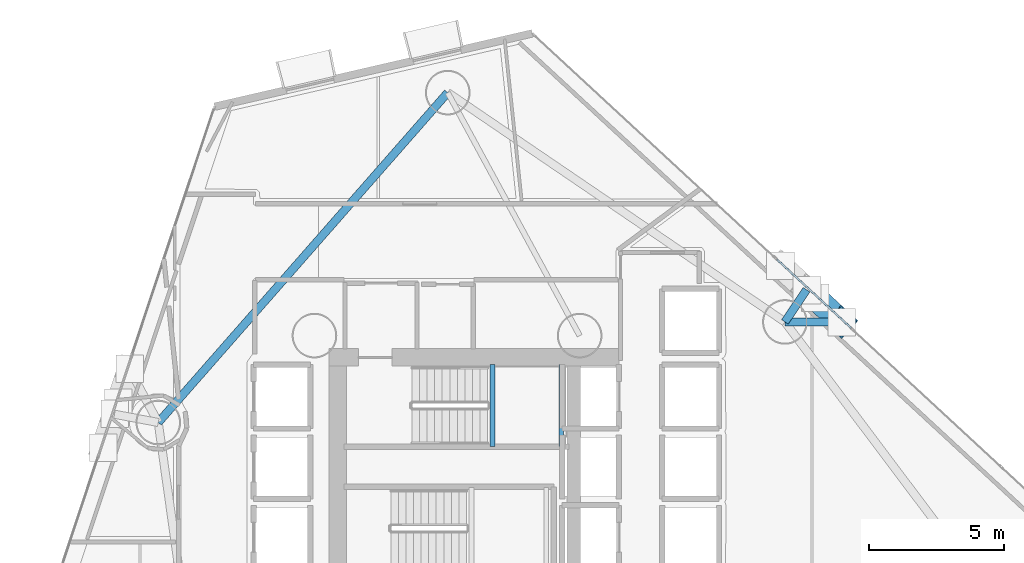
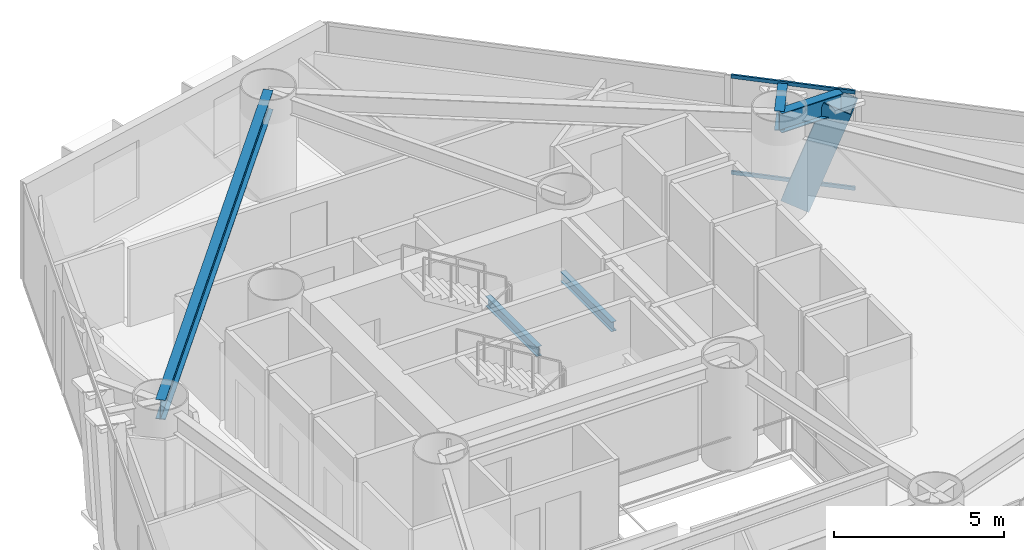
# One storey, part 9 of 23: 5 beams, 3 members, 1 element without a shape of its own.
"""IFC4 building model written with IfcOpenShell, lengths in metres."""

import ifcopenshell
import ifcopenshell.guid

model = None  # the IFC model being written
_history = None  # IfcOwnerHistory: only IFC2X3 demands one
_inside = {}  # id of a spatial element -> (the spatial element, [elements in it])
_under = {}  # id of a project, library or spatial element -> (it, [spatial elements below it])
_declared = {}  # id of a project -> (the project, [libraries it declares])
_typed = {}  # id of a type object -> (the type object, [elements of that type])
_made_of = {}  # id of a material, layer set ... -> (it, [elements and type objects made of it])


def new_model(schema):
    """Start an empty IFC model of exactly this schema.

    Asked for "IFC4X3", IfcOpenShell would pick the latest addendum, in which some entities
    have other attributes; the version numbers below select the first issue.
    IFC2X3 requires an IfcOwnerHistory on every rooted entity: one is made here for all.
    """
    global model, _history
    if schema == "IFC4X3":
        model = ifcopenshell.file(schema_version=(4, 3, 0, 0))
    else:
        model = ifcopenshell.file(schema=schema)
    _inside.clear()
    _under.clear()
    _declared.clear()
    _typed.clear()
    _made_of.clear()
    _history = None
    if model.schema == "IFC2X3":
        org = make("IfcOrganization", Name="unknown")
        user = make(
            "IfcPersonAndOrganization",
            ThePerson=make("IfcPerson", FamilyName="unknown"),
            TheOrganization=org,
        )
        app = make(
            "IfcApplication",
            ApplicationDeveloper=org,
            Version="unknown",
            ApplicationFullName="unknown",
            ApplicationIdentifier="unknown",
        )
        _history = make(
            "IfcOwnerHistory",
            OwningUser=user,
            OwningApplication=app,
            ChangeAction="ADDED",
            CreationDate=0,
        )
    return model


def make(cls, **values):
    """One entity of the class cls with the attributes given. An attribute that is None is left unset."""
    return model.create_entity(
        cls, **{name: value for name, value in values.items() if value is not None}
    )


def rooted(cls, **values):
    """An entity with a GlobalId (a new one), such as an element, a storey or a relation."""
    return make(cls, GlobalId=ifcopenshell.guid.new(), OwnerHistory=_history, **values)


def si_unit(unit_type, name, prefix=None):
    """IfcSIUnit, for example si_unit("LENGTHUNIT", "METRE", prefix="MILLI")."""
    return make("IfcSIUnit", UnitType=unit_type, Prefix=prefix, Name=name)


def assignment(units):
    """IfcUnitAssignment: the units of a project."""
    return None if units is None else make("IfcUnitAssignment", Units=units)


def point(xyz):
    """IfcCartesianPoint."""
    return None if xyz is None else make("IfcCartesianPoint", Coordinates=xyz)


def direction(xyz):
    """IfcDirection."""
    return None if xyz is None else make("IfcDirection", DirectionRatios=xyz)


def frame(location, z_axis=None, x_axis=None):
    """IfcAxis2Placement3D, a coordinate frame: its origin and axes. An axis left out is left unset."""
    return make(
        "IfcAxis2Placement3D",
        Location=point(location),
        Axis=direction(z_axis),
        RefDirection=direction(x_axis),
    )


def frame_2d(location, x_axis=None):
    """IfcAxis2Placement2D, a coordinate frame in the plane: its origin and x axis."""
    return make(
        "IfcAxis2Placement2D", Location=point(location), RefDirection=direction(x_axis)
    )


def origin():
    """The frame at (0, 0, 0) with its axes left unset."""
    return frame((0.0, 0.0, 0.0))


def origin_2d():
    """The frame at (0, 0) in the plane with its x axis left unset."""
    return frame_2d((0.0, 0.0))


def place(relative_to, where):
    """IfcLocalPlacement: puts the frame where relative to a parent placement (None: the world)."""
    return make(
        "IfcLocalPlacement", PlacementRelTo=relative_to, RelativePlacement=where
    )


def context(
    kind, dimensions, precision=None, world=None, true_north=None, identifier=None
):
    """IfcGeometricRepresentationContext, for example the 3D "Model" context."""
    return make(
        "IfcGeometricRepresentationContext",
        ContextIdentifier=identifier,
        ContextType=kind,
        CoordinateSpaceDimension=dimensions,
        Precision=precision,
        WorldCoordinateSystem=world,
        TrueNorth=true_north,
    )


def subcontext(parent, identifier, kind, view, scale=None):
    """IfcGeometricRepresentationSubContext, for example "Body" below "Model"."""
    return make(
        "IfcGeometricRepresentationSubContext",
        ContextIdentifier=identifier,
        ContextType=kind,
        ParentContext=parent,
        TargetScale=scale,
        TargetView=view,
    )


def project(units=None, contexts=None):
    """IfcProject with its units and contexts."""
    return rooted(
        "IfcProject",
        Name="project",
        RepresentationContexts=contexts,
        UnitsInContext=assignment(units),
    )


def spatial(cls, under=None, at=None, **own):
    """A site, building, storey or space (cls), placed at a placement, below another one or the project."""
    s = rooted(cls, ObjectPlacement=at, **own)
    if under is not None:
        _under.setdefault(under.id(), (under, []))[1].append(s)
    return s


def profile(cls, at=None, kind="AREA", **sizes):
    """A parametric profile (cls). Its sizes go by their IFC names, for example OverallWidth=200.0."""
    return make(cls, ProfileType=kind, Position=at, **sizes)


def hollow_rectangle(**sizes):
    """IfcRectangleHollowProfileDef."""
    return profile("IfcRectangleHollowProfileDef", **sizes)


def i_section(**sizes):
    """IfcIShapeProfileDef."""
    return profile("IfcIShapeProfileDef", **sizes)


def extrude(swept, where, along, depth):
    """IfcExtrudedAreaSolid: the profile swept, set in the frame where, extruded along a direction by depth."""
    return make(
        "IfcExtrudedAreaSolid",
        SweptArea=swept,
        Position=where,
        ExtrudedDirection=direction(along),
        Depth=depth,
    )


def shape(context_of_items, identifier, shape_type, items):
    """IfcShapeRepresentation: the items that make up one representation, for example the "Body"."""
    return make(
        "IfcShapeRepresentation",
        ContextOfItems=context_of_items,
        RepresentationIdentifier=identifier,
        RepresentationType=shape_type,
        Items=items,
    )


def material(Name=None, Category=None):
    """IfcMaterial."""
    return make("IfcMaterial", Name=Name, Category=Category)


def layer(
    of_material, thickness, ventilated=None, Name=None, Category=None, Priority=None
):
    """IfcMaterialLayer: one layer of a wall or slab, of a material (None: an air gap)."""
    return make(
        "IfcMaterialLayer",
        Material=of_material,
        LayerThickness=thickness,
        IsVentilated=ventilated,
        Name=Name,
        Category=Category,
        Priority=Priority,
    )


def layer_set(layers, Name=None):
    """IfcMaterialLayerSet."""
    return make("IfcMaterialLayerSet", MaterialLayers=layers, LayerSetName=Name)


def material_profile(
    of_material, cross_section, Name=None, Category=None, Priority=None
):
    """IfcMaterialProfile: a cross section and its material."""
    return make(
        "IfcMaterialProfile",
        Name=Name,
        Material=of_material,
        Profile=cross_section,
        Priority=Priority,
        Category=Category,
    )


def profile_set(profiles, Name=None, composite=None):
    """IfcMaterialProfileSet."""
    return make(
        "IfcMaterialProfileSet",
        Name=Name,
        MaterialProfiles=profiles,
        CompositeProfile=composite,
    )


def made_of(thing, what):
    """Note that an element or type object is made of a material, layer set ...; save() writes the relation."""
    if what is not None:
        _made_of.setdefault(what.id(), (what, []))[1].append(thing)
    return thing


def type_object(cls, material=None, **own):
    """A type object (cls), such as IfcWallType, which elements share."""
    return made_of(rooted(cls, **own), material)


def element(
    cls,
    number,
    at=None,
    inside=None,
    cuts=None,
    type_object=None,
    material=None,
    context=None,
    identifier="Body",
    shape_type=None,
    held_by="IfcProductDefinitionShape",
    body=None,
    shapes=None,
    **own,
):
    """One element of the class cls, such as IfcWall. Its Tag is "e" and its number.

    at: its placement. inside: the storey or other place that contains it. cuts: it is an
    opening in that element (IfcRelVoidsElement). A single representation is given by context,
    identifier, shape_type and body (its items); several are given by shapes. held_by: the class
    of the entity that holds the representations. save() writes the other relations.
    """
    e = rooted(cls, Tag="e%d" % number, ObjectPlacement=at, **own)
    if body is not None:
        shapes = [shape(context, identifier, shape_type, body)]
    if shapes is not None:
        e.Representation = make(held_by, Representations=shapes)
    if inside is not None:
        _inside.setdefault(inside.id(), (inside, []))[1].append(e)
    if cuts is not None:
        rooted(
            "IfcRelVoidsElement", RelatingBuildingElement=cuts, RelatedOpeningElement=e
        )
    if type_object is not None:
        _typed.setdefault(type_object.id(), (type_object, []))[1].append(e)
    return made_of(e, material)


def aggregate(whole, parts):
    """IfcRelAggregates: a whole, such as a stair, and the parts it consists of."""
    return rooted("IfcRelAggregates", RelatingObject=whole, RelatedObjects=parts)


def save(model, path):
    """Write the relations noted so far, then the file.

    IfcRelAggregates (storeys below a building ...), IfcRelContainedInSpatialStructure (elements
    in a storey), IfcRelDefinesByType, IfcRelAssociatesMaterial and IfcRelDeclares: one each for
    every whole, place, type object, material and project.
    """
    for whole, parts in _under.values():
        aggregate(whole, parts)
    for where, things in _inside.values():
        rooted(
            "IfcRelContainedInSpatialStructure",
            RelatedElements=things,
            RelatingStructure=where,
        )
    for kind, things in _typed.values():
        rooted("IfcRelDefinesByType", RelatedObjects=things, RelatingType=kind)
    for what, things in _made_of.values():
        rooted("IfcRelAssociatesMaterial", RelatedObjects=things, RelatingMaterial=what)
    for by, libraries in _declared.values():
        rooted("IfcRelDeclares", RelatingContext=by, RelatedDefinitions=libraries)
    model.write(path)


model = new_model("IFC4")

# Units and contexts
model_context = context("Model", 3, precision=1e-05, world=origin(), true_north=direction((0.0, 1.0)))
body_context = subcontext(model_context, "Body", "Model", "MODEL_VIEW")
ifc_project = project(units=[si_unit("LENGTHUNIT", "METRE"), si_unit("AREAUNIT", "SQUARE_METRE"), si_unit("VOLUMEUNIT", "CUBIC_METRE"), si_unit("PLANEANGLEUNIT", "RADIAN"), si_unit("MASSUNIT", "GRAM", prefix="KILO")], contexts=[model_context])

# Site, building, storey
site_placement = place(None, origin())
site = spatial("IfcSite", under=ifc_project, at=site_placement, CompositionType="ELEMENT")
building_placement = place(site_placement, origin())
building = spatial("IfcBuilding", under=site, at=building_placement, Name="Qianvela Tower", CompositionType="ELEMENT")
storey_placement = place(building_placement, frame((0.0, 0.0, 67.300048828125)))
storey = spatial("IfcBuildingStorey", under=building, at=storey_placement, Name="L16", CompositionType="ELEMENT", Elevation=67.300048828125)

# Beams
ifc_material_1 = material(Name="Steel Q355B", Category="steel")
ifc_material_profile_1 = material_profile(ifc_material_1, i_section(OverallWidth=0.175048828125, OverallDepth=0.35009765625, WebThickness=0.007080078125, FlangeThickness=0.010986328125, at=origin_2d()), Name="HN350x175x7x11")
ifc_profile_set_1 = profile_set([ifc_material_profile_1], Name="Steel Q355B")
beam_type_1 = type_object("IfcBeamType", Name="BM-HN350-JOIST", PredefinedType="JOIST", material=ifc_profile_set_1)
for number, where, z_axis, x_axis, name in (
    (1, (35.179931640625, 29.4599609375, 1.474853515625), (0.0, 1.0, 0.0), (-1.0, 0.0, 0.0), "L16 Stair ST-1 Landing Support Beam 1.1"),
    (2, (37.719970703125, 29.4599609375, 1.474853515625), (0.0, 1.0, 0.0), (-1.0, 0.0, 0.0), "L16 Stair ST-1 Landing Support Beam 1.2"),
):
    element("IfcBeam", number, at=place(storey_placement, frame(where, z_axis=z_axis, x_axis=x_axis)), inside=storey, type_object=beam_type_1, Name=name, PredefinedType="JOIST", context=body_context, shape_type="SweptSolid", body=[
        extrude(i_section(OverallWidth=0.175048828125, OverallDepth=0.35009765625, WebThickness=0.007080078125, FlangeThickness=0.010986328125, at=origin_2d()), origin(), (0.0, 0.0, 1.0), 3.02001953125),
    ])
ifc_material_2 = material(Name="Steel Q355B", Category="steel")
ifc_material_profile_2 = material_profile(ifc_material_2, i_section(OverallWidth=0.300048828125, OverallDepth=0.699951171875, WebThickness=0.012939453125, FlangeThickness=0.02392578125, at=origin_2d()), Name="HN700x300x13x24")
ifc_profile_set_2 = profile_set([ifc_material_profile_2], Name="Steel Q355B")
beam_type_2 = type_object("IfcBeamType", Name="BM-HN700-SPAND", PredefinedType="SPANDREL", material=ifc_profile_set_2)
beam_1_placement = place(storey_placement, frame((45.98388671875, 34.056884765625, 3.16796875), z_axis=(0.999999890462, -0.000468055179, 0.0), x_axis=(0.000468055179, 0.999999890462, 0.0)))
element("IfcBeam", 3, at=beam_1_placement, inside=storey, type_object=beam_type_2, Name="L16 Mega-Brace Column Tie Bracket F1-1", PredefinedType="SPANDREL", context=body_context, shape_type="SweptSolid", body=[
    extrude(i_section(OverallWidth=0.300048828125, OverallDepth=0.699951171875, WebThickness=0.012939453125, FlangeThickness=0.02392578125, at=origin_2d()), origin(), (0.0, 0.0, 1.0), 2.08642578125),
])
beam_2_placement = place(storey_placement, frame((45.98388671875, 34.056884765625, 3.16796875), z_axis=(0.55799961329, 0.829841208647, 0.0), x_axis=(-0.829841208647, 0.55799961329, 0.0)))
element("IfcBeam", 4, at=beam_2_placement, inside=storey, type_object=beam_type_2, Name="L16 Mega-Brace Column Tie Bracket F1-2", PredefinedType="SPANDREL", context=body_context, shape_type="SweptSolid", body=[
    extrude(i_section(OverallWidth=0.300048828125, OverallDepth=0.699951171875, WebThickness=0.012939453125, FlangeThickness=0.02392578125, at=origin_2d()), origin(), (0.0, 0.0, 1.0), 1.432373046875),
])
beam_3_placement = place(storey_placement, frame((33.52587890625, 42.529052734375, 3.16796875), z_axis=(-0.659601693124, -0.751615331422, 0.0), x_axis=(0.751615331422, -0.659601693124, 0.0)))
element("IfcBeam", 5, at=beam_3_placement, inside=storey, type_object=beam_type_2, Name="L16 Perimeter Ring Spandrel Girder 3", PredefinedType="SPANDREL", context=body_context, shape_type="SweptSolid", body=[
    extrude(i_section(OverallWidth=0.300048828125, OverallDepth=0.699951171875, WebThickness=0.012939453125, FlangeThickness=0.02392578125, at=origin_2d()), origin(), (0.0, 0.0, 1.0), 16.217041015625),
])

# Curtain wall, members
ifc_material_3 = material(Name="Anodised Architectural Aluminium and Insulated Spandrel Panel", Category="aluminium")
ifc_layer = layer(ifc_material_3, 0.179931640625)
ifc_layer_set = layer_set([ifc_layer], Name="Anodised Architectural Aluminium and Insulated Spandrel Panel")
curtain_wall_type = type_object("IfcCurtainWallType", Name="CW-BRACEBAY", PredefinedType="USERDEFINED", material=ifc_layer_set)
curtain_wall_placement = place(storey_placement, origin())
curtain_wall = element("IfcCurtainWall", 6, at=curtain_wall_placement, inside=storey, type_object=curtain_wall_type, Name="L16 CW-BRACEBAY Curtain Wall 02B", ObjectType="CURTAIN_WALL_SYSTEM", PredefinedType="USERDEFINED")
ifc_material_4 = material(Name="Anodised Architectural Aluminium 6063-T6", Category="aluminium")
ifc_material_profile_3 = material_profile(ifc_material_4, hollow_rectangle(XDim=0.06494140625, YDim=0.1298828125, WallThickness=0.00439453125, at=origin_2d()), Name="ALU-TRAN-65x130")
ifc_profile_set_3 = profile_set([ifc_material_profile_3], Name="Anodised Architectural Aluminium 6063-T6")
member_type_1 = type_object("IfcMemberType", Name="CW-BRACEBAY-TRAN", PredefinedType="USERDEFINED", material=ifc_profile_set_3)
member_1_placement = place(storey_placement, frame((48.431640625, 33.830810546875, 0.032470703125), z_axis=(-0.734305219788, 0.678819448891, 0.0), x_axis=(-0.678819448891, -0.734305219788, 0.0)))
member_1 = element("IfcMember", 7, at=member_1_placement, type_object=member_type_1, Name="CW-9 transom 1.1", ObjectType="TRANSOM", PredefinedType="USERDEFINED", context=body_context, shape_type="SweptSolid", body=[
    extrude(hollow_rectangle(XDim=0.06494140625, YDim=0.1298828125, WallThickness=0.00439453125, at=origin_2d()), origin(), (0.0, 0.0, 1.0), 3.739990234375),
])
member_2_placement = place(storey_placement, frame((48.431640625, 33.830810546875, 3.487548828125), z_axis=(-0.734305219788, 0.678819448891, 0.0), x_axis=(-0.678819448891, -0.734305219788, 0.0)))
member_2 = element("IfcMember", 8, at=member_2_placement, type_object=member_type_1, Name="CW-9 transom 1.2", ObjectType="TRANSOM", PredefinedType="USERDEFINED", context=body_context, shape_type="SweptSolid", body=[
    extrude(hollow_rectangle(XDim=0.06494140625, YDim=0.1298828125, WallThickness=0.00439453125, at=origin_2d()), origin(), (0.0, 0.0, 1.0), 3.739990234375),
])
aggregate(curtain_wall, [member_1, member_2])

# Member
ifc_material_5 = material(Name="Steel Q420GJC", Category="steel")
ifc_material_profile_4 = material_profile(ifc_material_5, hollow_rectangle(XDim=0.89990234375, YDim=0.89990234375, WallThickness=0.035888671875, at=origin_2d()), Name="MBOX-900x900x36")
ifc_profile_set_4 = profile_set([ifc_material_profile_4], Name="Steel Q420GJC")
member_type_2 = type_object("IfcMemberType", Name="MBR-MBRACE-900", PredefinedType="BRACE", material=ifc_profile_set_4)
member_3_placement = place(storey_placement, frame((47.124267578125, 34.930419921875, -0.531982421875), z_axis=(0.241471516524, -0.223213154113, 0.94438731172), x_axis=(0.678799401263, 0.734323752064, 0.0)))
element("IfcMember", 9, at=member_3_placement, inside=storey, type_object=member_type_2, Name="L16 Tier 2 Exterior Mega-Brace F1A", PredefinedType="BRACE", context=body_context, shape_type="SweptSolid", body=[
    extrude(hollow_rectangle(XDim=0.89990234375, YDim=0.89990234375, WallThickness=0.035888671875, at=origin_2d()), origin(), (0.0, 0.0, 1.0), 3.917724609375),
])

save(model, "model.ifc")
